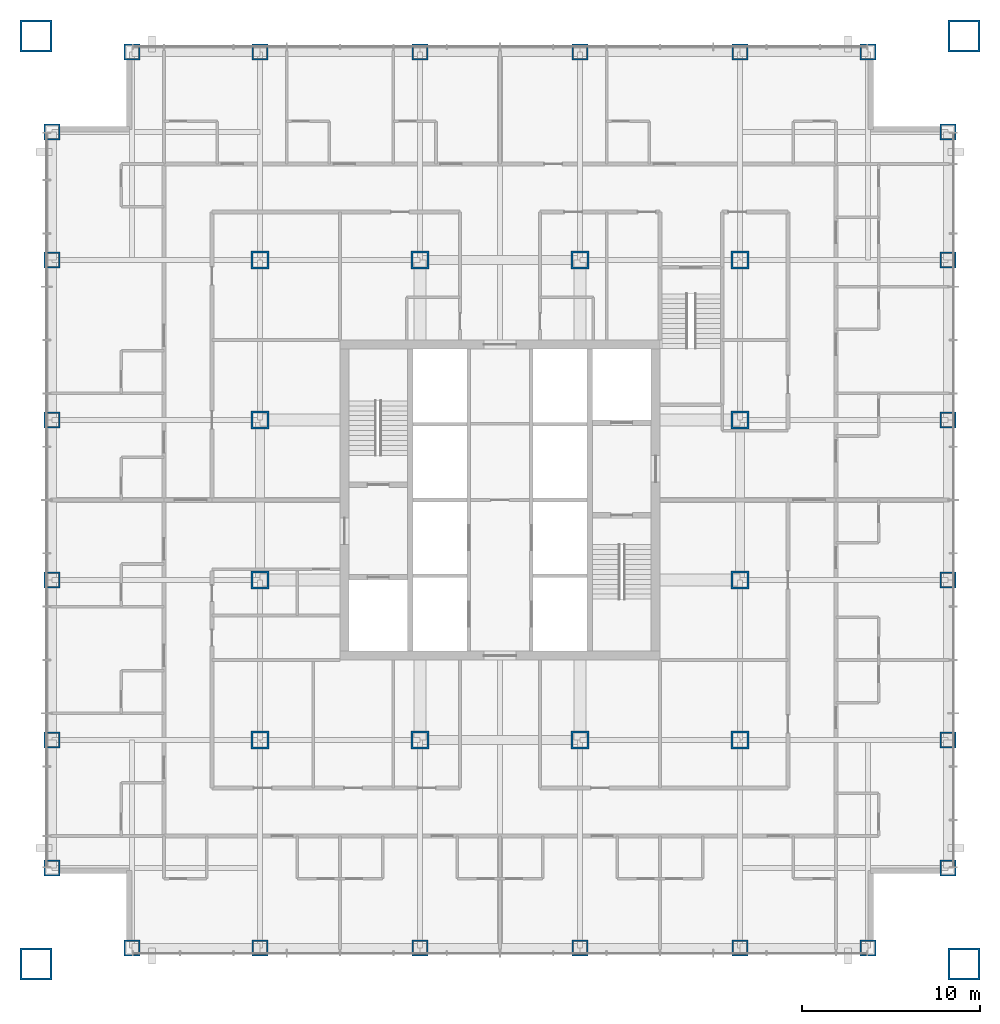
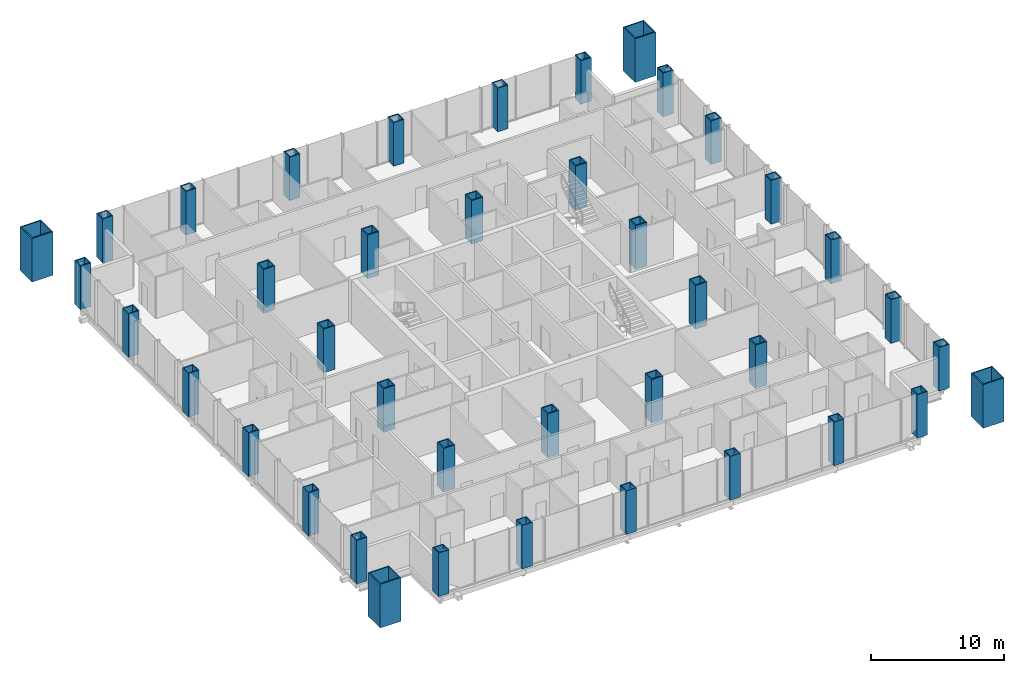
# One storey, part 1 of 12: 40 columns.
"""IFC4 building model written with IfcOpenShell, lengths in metres."""

import ifcopenshell
import ifcopenshell.guid

model = None  # the IFC model being written
_history = None  # IfcOwnerHistory: only IFC2X3 demands one
_inside = {}  # id of a spatial element -> (the spatial element, [elements in it])
_under = {}  # id of a project, library or spatial element -> (it, [spatial elements below it])
_declared = {}  # id of a project -> (the project, [libraries it declares])
_typed = {}  # id of a type object -> (the type object, [elements of that type])
_made_of = {}  # id of a material, layer set ... -> (it, [elements and type objects made of it])


def new_model(schema):
    """Start an empty IFC model of exactly this schema.

    Asked for "IFC4X3", IfcOpenShell would pick the latest addendum, in which some entities
    have other attributes; the version numbers below select the first issue.
    IFC2X3 requires an IfcOwnerHistory on every rooted entity: one is made here for all.
    """
    global model, _history
    if schema == "IFC4X3":
        model = ifcopenshell.file(schema_version=(4, 3, 0, 0))
    else:
        model = ifcopenshell.file(schema=schema)
    _inside.clear()
    _under.clear()
    _declared.clear()
    _typed.clear()
    _made_of.clear()
    _history = None
    if model.schema == "IFC2X3":
        org = make("IfcOrganization", Name="unknown")
        user = make(
            "IfcPersonAndOrganization",
            ThePerson=make("IfcPerson", FamilyName="unknown"),
            TheOrganization=org,
        )
        app = make(
            "IfcApplication",
            ApplicationDeveloper=org,
            Version="unknown",
            ApplicationFullName="unknown",
            ApplicationIdentifier="unknown",
        )
        _history = make(
            "IfcOwnerHistory",
            OwningUser=user,
            OwningApplication=app,
            ChangeAction="ADDED",
            CreationDate=0,
        )
    return model


def make(cls, **values):
    """One entity of the class cls with the attributes given. An attribute that is None is left unset."""
    return model.create_entity(
        cls, **{name: value for name, value in values.items() if value is not None}
    )


def rooted(cls, **values):
    """An entity with a GlobalId (a new one), such as an element, a storey or a relation."""
    return make(cls, GlobalId=ifcopenshell.guid.new(), OwnerHistory=_history, **values)


def si_unit(unit_type, name, prefix=None):
    """IfcSIUnit, for example si_unit("LENGTHUNIT", "METRE", prefix="MILLI")."""
    return make("IfcSIUnit", UnitType=unit_type, Prefix=prefix, Name=name)


def assignment(units):
    """IfcUnitAssignment: the units of a project."""
    return None if units is None else make("IfcUnitAssignment", Units=units)


def point(xyz):
    """IfcCartesianPoint."""
    return None if xyz is None else make("IfcCartesianPoint", Coordinates=xyz)


def direction(xyz):
    """IfcDirection."""
    return None if xyz is None else make("IfcDirection", DirectionRatios=xyz)


def frame(location, z_axis=None, x_axis=None):
    """IfcAxis2Placement3D, a coordinate frame: its origin and axes. An axis left out is left unset."""
    return make(
        "IfcAxis2Placement3D",
        Location=point(location),
        Axis=direction(z_axis),
        RefDirection=direction(x_axis),
    )


def frame_2d(location, x_axis=None):
    """IfcAxis2Placement2D, a coordinate frame in the plane: its origin and x axis."""
    return make(
        "IfcAxis2Placement2D", Location=point(location), RefDirection=direction(x_axis)
    )


def origin():
    """The frame at (0, 0, 0) with its axes left unset."""
    return frame((0.0, 0.0, 0.0))


def origin_2d():
    """The frame at (0, 0) in the plane with its x axis left unset."""
    return frame_2d((0.0, 0.0))


def place(relative_to, where):
    """IfcLocalPlacement: puts the frame where relative to a parent placement (None: the world)."""
    return make(
        "IfcLocalPlacement", PlacementRelTo=relative_to, RelativePlacement=where
    )


def context(
    kind, dimensions, precision=None, world=None, true_north=None, identifier=None
):
    """IfcGeometricRepresentationContext, for example the 3D "Model" context."""
    return make(
        "IfcGeometricRepresentationContext",
        ContextIdentifier=identifier,
        ContextType=kind,
        CoordinateSpaceDimension=dimensions,
        Precision=precision,
        WorldCoordinateSystem=world,
        TrueNorth=true_north,
    )


def subcontext(parent, identifier, kind, view, scale=None):
    """IfcGeometricRepresentationSubContext, for example "Body" below "Model"."""
    return make(
        "IfcGeometricRepresentationSubContext",
        ContextIdentifier=identifier,
        ContextType=kind,
        ParentContext=parent,
        TargetScale=scale,
        TargetView=view,
    )


def project(units=None, contexts=None):
    """IfcProject with its units and contexts."""
    return rooted(
        "IfcProject",
        Name="project",
        RepresentationContexts=contexts,
        UnitsInContext=assignment(units),
    )


def spatial(cls, under=None, at=None, **own):
    """A site, building, storey or space (cls), placed at a placement, below another one or the project."""
    s = rooted(cls, ObjectPlacement=at, **own)
    if under is not None:
        _under.setdefault(under.id(), (under, []))[1].append(s)
    return s


def profile(cls, at=None, kind="AREA", **sizes):
    """A parametric profile (cls). Its sizes go by their IFC names, for example OverallWidth=200.0."""
    return make(cls, ProfileType=kind, Position=at, **sizes)


def hollow_rectangle(**sizes):
    """IfcRectangleHollowProfileDef."""
    return profile("IfcRectangleHollowProfileDef", **sizes)


def extrude(swept, where, along, depth):
    """IfcExtrudedAreaSolid: the profile swept, set in the frame where, extruded along a direction by depth."""
    return make(
        "IfcExtrudedAreaSolid",
        SweptArea=swept,
        Position=where,
        ExtrudedDirection=direction(along),
        Depth=depth,
    )


def shape(context_of_items, identifier, shape_type, items):
    """IfcShapeRepresentation: the items that make up one representation, for example the "Body"."""
    return make(
        "IfcShapeRepresentation",
        ContextOfItems=context_of_items,
        RepresentationIdentifier=identifier,
        RepresentationType=shape_type,
        Items=items,
    )


def material(Name=None, Category=None):
    """IfcMaterial."""
    return make("IfcMaterial", Name=Name, Category=Category)


def material_profile(
    of_material, cross_section, Name=None, Category=None, Priority=None
):
    """IfcMaterialProfile: a cross section and its material."""
    return make(
        "IfcMaterialProfile",
        Name=Name,
        Material=of_material,
        Profile=cross_section,
        Priority=Priority,
        Category=Category,
    )


def profile_set(profiles, Name=None, composite=None):
    """IfcMaterialProfileSet."""
    return make(
        "IfcMaterialProfileSet",
        Name=Name,
        MaterialProfiles=profiles,
        CompositeProfile=composite,
    )


def made_of(thing, what):
    """Note that an element or type object is made of a material, layer set ...; save() writes the relation."""
    if what is not None:
        _made_of.setdefault(what.id(), (what, []))[1].append(thing)
    return thing


def type_object(cls, material=None, **own):
    """A type object (cls), such as IfcWallType, which elements share."""
    return made_of(rooted(cls, **own), material)


def element(
    cls,
    number,
    at=None,
    inside=None,
    cuts=None,
    type_object=None,
    material=None,
    context=None,
    identifier="Body",
    shape_type=None,
    held_by="IfcProductDefinitionShape",
    body=None,
    shapes=None,
    **own,
):
    """One element of the class cls, such as IfcWall. Its Tag is "e" and its number.

    at: its placement. inside: the storey or other place that contains it. cuts: it is an
    opening in that element (IfcRelVoidsElement). A single representation is given by context,
    identifier, shape_type and body (its items); several are given by shapes. held_by: the class
    of the entity that holds the representations. save() writes the other relations.
    """
    e = rooted(cls, Tag="e%d" % number, ObjectPlacement=at, **own)
    if body is not None:
        shapes = [shape(context, identifier, shape_type, body)]
    if shapes is not None:
        e.Representation = make(held_by, Representations=shapes)
    if inside is not None:
        _inside.setdefault(inside.id(), (inside, []))[1].append(e)
    if cuts is not None:
        rooted(
            "IfcRelVoidsElement", RelatingBuildingElement=cuts, RelatedOpeningElement=e
        )
    if type_object is not None:
        _typed.setdefault(type_object.id(), (type_object, []))[1].append(e)
    return made_of(e, material)


def aggregate(whole, parts):
    """IfcRelAggregates: a whole, such as a stair, and the parts it consists of."""
    return rooted("IfcRelAggregates", RelatingObject=whole, RelatedObjects=parts)


def save(model, path):
    """Write the relations noted so far, then the file.

    IfcRelAggregates (storeys below a building ...), IfcRelContainedInSpatialStructure (elements
    in a storey), IfcRelDefinesByType, IfcRelAssociatesMaterial and IfcRelDeclares: one each for
    every whole, place, type object, material and project.
    """
    for whole, parts in _under.values():
        aggregate(whole, parts)
    for where, things in _inside.values():
        rooted(
            "IfcRelContainedInSpatialStructure",
            RelatedElements=things,
            RelatingStructure=where,
        )
    for kind, things in _typed.values():
        rooted("IfcRelDefinesByType", RelatedObjects=things, RelatingType=kind)
    for what, things in _made_of.values():
        rooted("IfcRelAssociatesMaterial", RelatedObjects=things, RelatingMaterial=what)
    for by, libraries in _declared.values():
        rooted("IfcRelDeclares", RelatingContext=by, RelatedDefinitions=libraries)
    model.write(path)


model = new_model("IFC4")

# Units and contexts
model_context = context("Model", 3, precision=1e-05, world=origin(), true_north=direction((0.0, 1.0)))
body_context = subcontext(model_context, "Body", "Model", "MODEL_VIEW")
ifc_project = project(units=[si_unit("LENGTHUNIT", "METRE"), si_unit("AREAUNIT", "SQUARE_METRE"), si_unit("VOLUMEUNIT", "CUBIC_METRE"), si_unit("PLANEANGLEUNIT", "RADIAN"), si_unit("MASSUNIT", "GRAM", prefix="KILO")], contexts=[model_context])

# Site, building, storey
site_placement = place(None, origin())
site = spatial("IfcSite", under=ifc_project, at=site_placement, CompositionType="ELEMENT")
building_placement = place(site_placement, origin())
building = spatial("IfcBuilding", under=site, at=building_placement, Name="Malebo Sky Hospital", CompositionType="ELEMENT")
storey_placement = place(building_placement, frame((0.0, 0.0, 59.0)))
storey = spatial("IfcBuildingStorey", under=building, at=storey_placement, Name="L13", CompositionType="ELEMENT", Elevation=59.0)

# Columns
ifc_material = material(Name="Steel S460", Category="steel")
ifc_material_profile_1 = material_profile(ifc_material, hollow_rectangle(XDim=1.0, YDim=1.0, WallThickness=0.10009765625, at=origin_2d()), Name="BOX 1000x1000x100")
ifc_profile_set_1 = profile_set([ifc_material_profile_1], Name="Steel S460")
column_type_1 = type_object("IfcColumnType", Name="INNER COLUMN BOX 1000x1000x100", PredefinedType="COLUMN", material=ifc_profile_set_1)
for number, where, z_axis, x_axis, name in (
    (1, (46.5, 48.5, 0.0), (0.0, 0.0, 1.0), (1.0, 0.0, 0.0), "Column IC9 L13"),
    (2, (73.5, 48.5, 0.0), (0.0, 0.0, 1.0), (1.0, 0.0, 0.0), "Column IC9 L13"),
    (3, (73.5, 75.5, 0.0), (0.0, 0.0, 1.0), (1.0, 0.0, 0.0), "Column IC9 L13"),
    (4, (46.5, 75.5, 0.0), (0.0, 0.0, 1.0), (1.0, 0.0, 0.0), "Column IC9 L13"),
    (5, (55.5, 48.5, 0.0), (0.0, 0.0, 1.0), (1.0, 0.0, 0.0), "Column IC9 L13"),
    (6, (64.5, 48.5, 0.0), (0.0, 0.0, 1.0), (1.0, 0.0, 0.0), "Column IC9 L13"),
    (7, (55.5, 75.5, 0.0), (0.0, 0.0, 1.0), (1.0, 0.0, 0.0), "Column IC9 L13"),
    (8, (64.5, 75.5, 0.0), (0.0, 0.0, 1.0), (1.0, 0.0, 0.0), "Column IC9 L13"),
    (9, (46.5, 57.5, 0.0), (0.0, 0.0, 1.0), (1.0, 0.0, 0.0), "Column IC9 L13"),
    (10, (46.5, 66.5, 0.0), (0.0, 0.0, 1.0), (1.0, 0.0, 0.0), "Column IC9 L13"),
    (11, (73.5, 57.5, 0.0), (0.0, 0.0, 1.0), (1.0, 0.0, 0.0), "Column IC9 L13"),
    (12, (73.5, 66.5, 0.0), (0.0, 0.0, 1.0), (1.0, 0.0, 0.0), "Column IC9 L13"),
):
    element("IfcColumn", number, at=place(storey_placement, frame(where, z_axis=z_axis, x_axis=x_axis)), inside=storey, type_object=column_type_1, Name=name, PredefinedType="COLUMN", context=body_context, shape_type="SweptSolid", body=[
        extrude(hollow_rectangle(XDim=1.0, YDim=1.0, WallThickness=0.10009765625, at=origin_2d()), origin(), (0.0, 0.0, 1.0), 4.0),
    ])
ifc_material_profile_2 = material_profile(ifc_material, hollow_rectangle(XDim=1.800048828125, YDim=1.800048828125, WallThickness=0.10009765625, at=origin_2d()), Name="BOX 1800x1800x100")
ifc_profile_set_2 = profile_set([ifc_material_profile_2], Name="Steel S460")
column_type_2 = type_object("IfcColumnType", Name="MEGA COLUMN BOX 1800x1800x100", PredefinedType="COLUMN", material=ifc_profile_set_2)
for number, where, z_axis, x_axis, name in (
    (13, (33.89990234375, 35.89990234375, 0.0), (0.0, 0.0, 1.0), (1.0, 0.0, 0.0), "Mega column SW L13"),
    (14, (86.10009765625, 35.89990234375, 0.0), (0.0, 0.0, 1.0), (1.0, 0.0, 0.0), "Mega column SE L13"),
    (15, (86.10009765625, 88.10009765625, 0.0), (0.0, 0.0, 1.0), (1.0, 0.0, 0.0), "Mega column NE L13"),
    (16, (33.89990234375, 88.10009765625, 0.0), (0.0, 0.0, 1.0), (1.0, 0.0, 0.0), "Mega column NW L13"),
):
    element("IfcColumn", number, at=place(storey_placement, frame(where, z_axis=z_axis, x_axis=x_axis)), inside=storey, type_object=column_type_2, Name=name, PredefinedType="COLUMN", context=body_context, shape_type="SweptSolid", body=[
        extrude(hollow_rectangle(XDim=1.800048828125, YDim=1.800048828125, WallThickness=0.10009765625, at=origin_2d()), origin(), (0.0, 0.0, 1.0), 4.0),
    ])
ifc_material_profile_3 = material_profile(ifc_material, hollow_rectangle(XDim=0.89990234375, YDim=0.89990234375, WallThickness=0.080078125, at=origin_2d()), Name="BOX 900x900x80")
ifc_profile_set_3 = profile_set([ifc_material_profile_3], Name="Steel S460")
column_type_3 = type_object("IfcColumnType", Name="PERIMETER COLUMN BOX 900x900x80", PredefinedType="COLUMN", material=ifc_profile_set_3)
for number, where, z_axis, x_axis, name in (
    (17, (39.300048828125, 36.800048828125, 0.0), (0.0, 0.0, 1.0), (1.0, 0.0, 0.0), "Column PC8 L13"),
    (18, (39.300048828125, 87.199951171875, 0.0), (0.0, 0.0, 1.0), (1.0, 0.0, 0.0), "Column PC8 L13"),
    (19, (34.800048828125, 41.300048828125, 0.0), (0.0, 0.0, 1.0), (1.0, 0.0, 0.0), "Column PC8 L13"),
    (20, (85.199951171875, 41.300048828125, 0.0), (0.0, 0.0, 1.0), (1.0, 0.0, 0.0), "Column PC8 L13"),
    (21, (46.5, 36.800048828125, 0.0), (0.0, 0.0, 1.0), (1.0, 0.0, 0.0), "Column PC8 L13"),
    (22, (46.5, 87.199951171875, 0.0), (0.0, 0.0, 1.0), (1.0, 0.0, 0.0), "Column PC8 L13"),
    (23, (34.800048828125, 48.5, 0.0), (0.0, 0.0, 1.0), (1.0, 0.0, 0.0), "Column PC8 L13"),
    (24, (85.199951171875, 48.5, 0.0), (0.0, 0.0, 1.0), (1.0, 0.0, 0.0), "Column PC8 L13"),
    (25, (55.5, 36.800048828125, 0.0), (0.0, 0.0, 1.0), (1.0, 0.0, 0.0), "Column PC8 L13"),
    (26, (55.5, 87.199951171875, 0.0), (0.0, 0.0, 1.0), (1.0, 0.0, 0.0), "Column PC8 L13"),
    (27, (34.800048828125, 57.5, 0.0), (0.0, 0.0, 1.0), (1.0, 0.0, 0.0), "Column PC8 L13"),
    (28, (85.199951171875, 57.5, 0.0), (0.0, 0.0, 1.0), (1.0, 0.0, 0.0), "Column PC8 L13"),
    (29, (64.5, 36.800048828125, 0.0), (0.0, 0.0, 1.0), (1.0, 0.0, 0.0), "Column PC8 L13"),
    (30, (64.5, 87.199951171875, 0.0), (0.0, 0.0, 1.0), (1.0, 0.0, 0.0), "Column PC8 L13"),
    (31, (34.800048828125, 66.5, 0.0), (0.0, 0.0, 1.0), (1.0, 0.0, 0.0), "Column PC8 L13"),
    (32, (85.199951171875, 66.5, 0.0), (0.0, 0.0, 1.0), (1.0, 0.0, 0.0), "Column PC8 L13"),
    (33, (73.5, 36.800048828125, 0.0), (0.0, 0.0, 1.0), (1.0, 0.0, 0.0), "Column PC8 L13"),
    (34, (73.5, 87.199951171875, 0.0), (0.0, 0.0, 1.0), (1.0, 0.0, 0.0), "Column PC8 L13"),
    (35, (34.800048828125, 75.5, 0.0), (0.0, 0.0, 1.0), (1.0, 0.0, 0.0), "Column PC8 L13"),
    (36, (85.199951171875, 75.5, 0.0), (0.0, 0.0, 1.0), (1.0, 0.0, 0.0), "Column PC8 L13"),
    (37, (80.699951171875, 36.800048828125, 0.0), (0.0, 0.0, 1.0), (1.0, 0.0, 0.0), "Column PC8 L13"),
    (38, (80.699951171875, 87.199951171875, 0.0), (0.0, 0.0, 1.0), (1.0, 0.0, 0.0), "Column PC8 L13"),
    (39, (34.800048828125, 82.699951171875, 0.0), (0.0, 0.0, 1.0), (1.0, 0.0, 0.0), "Column PC8 L13"),
    (40, (85.199951171875, 82.699951171875, 0.0), (0.0, 0.0, 1.0), (1.0, 0.0, 0.0), "Column PC8 L13"),
):
    element("IfcColumn", number, at=place(storey_placement, frame(where, z_axis=z_axis, x_axis=x_axis)), inside=storey, type_object=column_type_3, Name=name, PredefinedType="COLUMN", context=body_context, shape_type="SweptSolid", body=[
        extrude(hollow_rectangle(XDim=0.89990234375, YDim=0.89990234375, WallThickness=0.080078125, at=origin_2d()), origin(), (0.0, 0.0, 1.0), 4.0),
    ])

save(model, "model.ifc")
